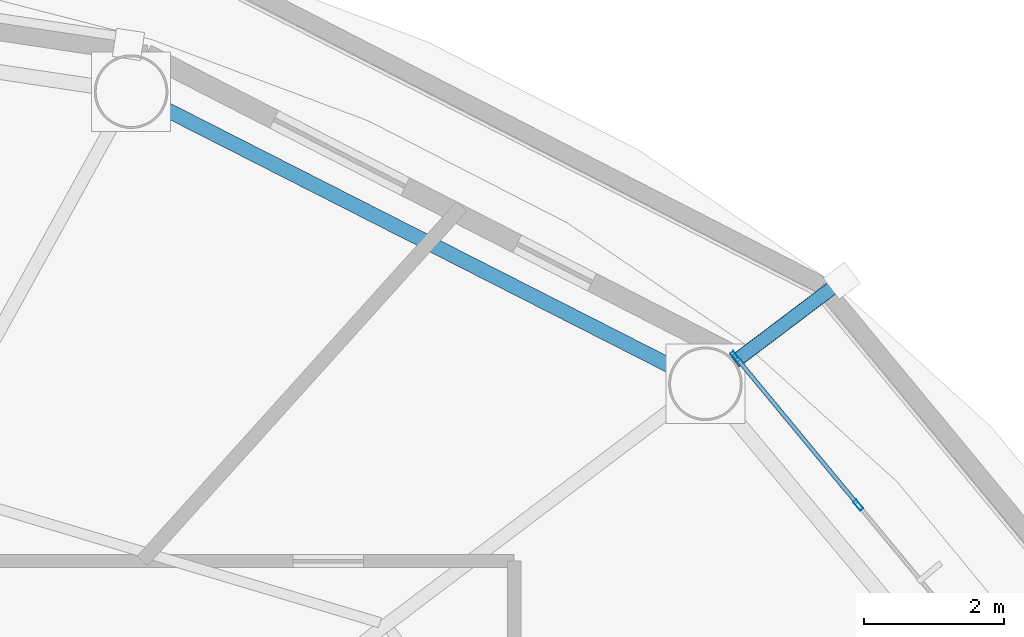
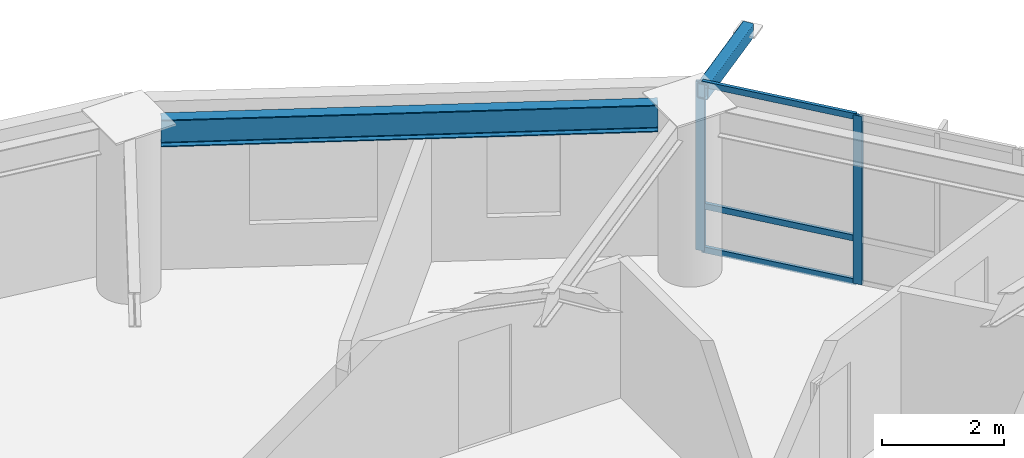
# One storey, part 11 of 22: 6 members, 1 beam, 1 element without a shape of its own.
"""IFC4 building model written with IfcOpenShell, lengths in metres."""

from ifc_helpers import new_model, si_unit, direction, frame, origin, origin_2d, place, context, subcontext, project, spatial, hollow_rectangle, i_section, extrude, material, layer, layer_set, material_profile, profile_set, type_object, element, aggregate, save


model = new_model("IFC4")

# Units and contexts
model_context = context("Model", 3, precision=1e-05, world=origin(), true_north=direction((0.0, 1.0)))
body_context = subcontext(model_context, "Body", "Model", "MODEL_VIEW")
ifc_project = project(units=[si_unit("LENGTHUNIT", "METRE"), si_unit("AREAUNIT", "SQUARE_METRE"), si_unit("VOLUMEUNIT", "CUBIC_METRE"), si_unit("PLANEANGLEUNIT", "RADIAN"), si_unit("MASSUNIT", "GRAM", prefix="KILO")], contexts=[model_context])

# Site, building, storey
site_placement = place(None, origin())
site = spatial("IfcSite", under=ifc_project, at=site_placement, CompositionType="ELEMENT")
building_placement = place(site_placement, origin())
building = spatial("IfcBuilding", under=site, at=building_placement, Name="Sarneth Arch Tower", CompositionType="ELEMENT")
storey_placement = place(building_placement, frame((0.0, 0.0, 206.39990234375)))
storey = spatial("IfcBuildingStorey", under=building, at=storey_placement, Name="L52", CompositionType="ELEMENT", Elevation=206.39990234375)

# Beam
ifc_material_1 = material(Name="Steel S355", Category="steel")
ifc_material_profile_1 = material_profile(ifc_material_1, i_section(OverallWidth=0.2109375, OverallDepth=0.5390625, WebThickness=0.01171875, FlangeThickness=0.018798828125, FilletRadius=0.01806640625, at=origin_2d()), Name="W530x109")
ifc_profile_set_1 = profile_set([ifc_material_profile_1], Name="Steel S355")
beam_type = type_object("IfcBeamType", Name="BM-RAD-530B", PredefinedType="BEAM", material=ifc_profile_set_1)
beam_placement = place(storey_placement, frame((65.50732421875, 55.814453125, 3.090576171875), z_axis=(-0.891368271482, 0.453279830342, 0.0), x_axis=(-0.453279830342, -0.891368271482, 0.0)))
element("IfcBeam", 1, at=beam_placement, inside=storey, type_object=beam_type, Name="L52 Perimeter spandrel beam 03", PredefinedType="BEAM", context=body_context, shape_type="SweptSolid", body=[
    extrude(i_section(OverallWidth=0.2109375, OverallDepth=0.5390625, WebThickness=0.01171875, FlangeThickness=0.018798828125, FilletRadius=0.01806640625, at=origin_2d()), origin(), (0.0, 0.0, 1.0), 8.1318359375),
])

# Curtain wall, members
ifc_material_2 = material(Name="Anodised aluminium Type AA25 and solar-control low-e laminated IGU", Category="aluminium")
ifc_layer = layer(ifc_material_2, 0.179931640625)
ifc_layer_set = layer_set([ifc_layer], Name="Anodised aluminium Type AA25 and solar-control low-e laminated IGU")
curtain_wall_type = type_object("IfcCurtainWallType", Name="CW-RES-HIGH", PredefinedType="NOTDEFINED", material=ifc_layer_set)
curtain_wall_placement = place(storey_placement, origin())
curtain_wall = element("IfcCurtainWall", 2, at=curtain_wall_placement, inside=storey, type_object=curtain_wall_type, Name="L52 Unitised curtain wall facet 02", PredefinedType="NOTDEFINED")
ifc_material_3 = material(Name="Anodised Aluminium 6063-T6", Category="aluminium")
ifc_material_profile_2 = material_profile(ifc_material_3, hollow_rectangle(XDim=0.06005859375, YDim=0.159912109375, WallThickness=0.00390625, at=origin_2d()), Name="AL-MULL-160x60x4")
ifc_profile_set_2 = profile_set([ifc_material_profile_2], Name="Anodised Aluminium 6063-T6")
member_type_1 = type_object("IfcMemberType", Name="CW-MULLION", PredefinedType="MULLION", material=ifc_profile_set_2)
member_1_placement = place(storey_placement, frame((68.15283203125, 53.84765625, 0.0), z_axis=(0.0, 0.0, 1.0), x_axis=(-0.770359245933, -0.637610094184, 0.0)))
member_1 = element("IfcMember", 3, at=member_1_placement, type_object=member_type_1, Name="CW-SYS-6 mullion 3", PredefinedType="MULLION", context=body_context, shape_type="SweptSolid", body=[
    extrude(hollow_rectangle(XDim=0.06005859375, YDim=0.159912109375, WallThickness=0.00390625, at=origin_2d()), origin(), (0.0, 0.0, 1.0), 3.360107421875),
])
member_2_placement = place(storey_placement, frame((66.401611328125, 55.96337890625, 0.0), z_axis=(0.0, 0.0, 1.0), x_axis=(-0.770359245933, -0.637610094184, 0.0)))
member_2 = element("IfcMember", 4, at=member_2_placement, type_object=member_type_1, Name="CW-SYS-6 mullion 4", PredefinedType="MULLION", context=body_context, shape_type="SweptSolid", body=[
    extrude(hollow_rectangle(XDim=0.06005859375, YDim=0.159912109375, WallThickness=0.00390625, at=origin_2d()), origin(), (0.0, 0.0, 1.0), 3.360107421875),
])
ifc_material_4 = material(Name="Anodised Aluminium 6063-T6", Category="aluminium")
ifc_material_profile_3 = material_profile(ifc_material_4, hollow_rectangle(XDim=0.06005859375, YDim=0.1201171875, WallThickness=0.00390625, at=origin_2d()), Name="AL-TRAN-120x60x4")
ifc_profile_set_3 = profile_set([ifc_material_profile_3], Name="Anodised Aluminium 6063-T6")
member_type_2 = type_object("IfcMemberType", Name="CW-TRANSOM", PredefinedType="USERDEFINED", material=ifc_profile_set_3)
member_3_placement = place(storey_placement, frame((68.1337890625, 53.87060546875, 0.030029296875), z_axis=(-0.637606765719, 0.770362000821, 0.0), x_axis=(-0.770362000821, -0.637606765719, 0.0)))
member_3 = element("IfcMember", 5, at=member_3_placement, type_object=member_type_2, Name="CW-SYS-6 transom 3.1", ObjectType="TRANSOM", PredefinedType="USERDEFINED", context=body_context, shape_type="SweptSolid", body=[
    extrude(hollow_rectangle(XDim=0.06005859375, YDim=0.1201171875, WallThickness=0.00390625, at=origin_2d()), origin(), (0.0, 0.0, 1.0), 2.686767578125),
])
member_4_placement = place(storey_placement, frame((68.1337890625, 53.87060546875, 0.900146484375), z_axis=(-0.637606765719, 0.770362000821, 0.0), x_axis=(-0.770362000821, -0.637606765719, 0.0)))
member_4 = element("IfcMember", 6, at=member_4_placement, type_object=member_type_2, Name="CW-SYS-6 transom 3.2", ObjectType="TRANSOM", PredefinedType="USERDEFINED", context=body_context, shape_type="SweptSolid", body=[
    extrude(hollow_rectangle(XDim=0.06005859375, YDim=0.1201171875, WallThickness=0.00390625, at=origin_2d()), origin(), (0.0, 0.0, 1.0), 2.686767578125),
])
member_5_placement = place(storey_placement, frame((68.1337890625, 53.87060546875, 3.330078125), z_axis=(-0.637606765719, 0.770362000821, 0.0), x_axis=(-0.770362000821, -0.637606765719, 0.0)))
member_5 = element("IfcMember", 7, at=member_5_placement, type_object=member_type_2, Name="CW-SYS-6 transom 3.3", ObjectType="TRANSOM", PredefinedType="USERDEFINED", context=body_context, shape_type="SweptSolid", body=[
    extrude(hollow_rectangle(XDim=0.06005859375, YDim=0.1201171875, WallThickness=0.00390625, at=origin_2d()), origin(), (0.0, 0.0, 1.0), 2.686767578125),
])
aggregate(curtain_wall, [member_1, member_2, member_3, member_4, member_5])

# Member
ifc_material_5 = material(Name="Steel S355", Category="steel")
ifc_material_profile_4 = material_profile(ifc_material_5, hollow_rectangle(XDim=0.199951171875, YDim=0.300048828125, WallThickness=0.012451171875, InnerFilletRadius=0.018798828125, OuterFilletRadius=0.03125, at=origin_2d()), Name="RHS300x200x12.5")
ifc_profile_set_4 = profile_set([ifc_material_profile_4], Name="Steel S355")
member_type_3 = type_object("IfcMemberType", Name="MEM-CANT-STRUT", PredefinedType="STRUT", material=ifc_profile_set_4)
member_6_placement = place(storey_placement, frame((66.39404296875, 55.892822265625, 3.2001953125), z_axis=(0.797957395012, 0.60271385893, 0.0), x_axis=(-0.60271385893, 0.797957395012, 0.0)))
element("IfcMember", 8, at=member_6_placement, inside=storey, type_object=member_type_3, Name="L52 Balcony cantilever bracket 03", PredefinedType="STRUT", context=body_context, shape_type="SweptSolid", body=[
    extrude(hollow_rectangle(XDim=0.199951171875, YDim=0.300048828125, WallThickness=0.012451171875, InnerFilletRadius=0.018798828125, OuterFilletRadius=0.03125, at=origin_2d()), origin(), (0.0, 0.0, 1.0), 1.911865234375),
])

save(model, "model.ifc")
